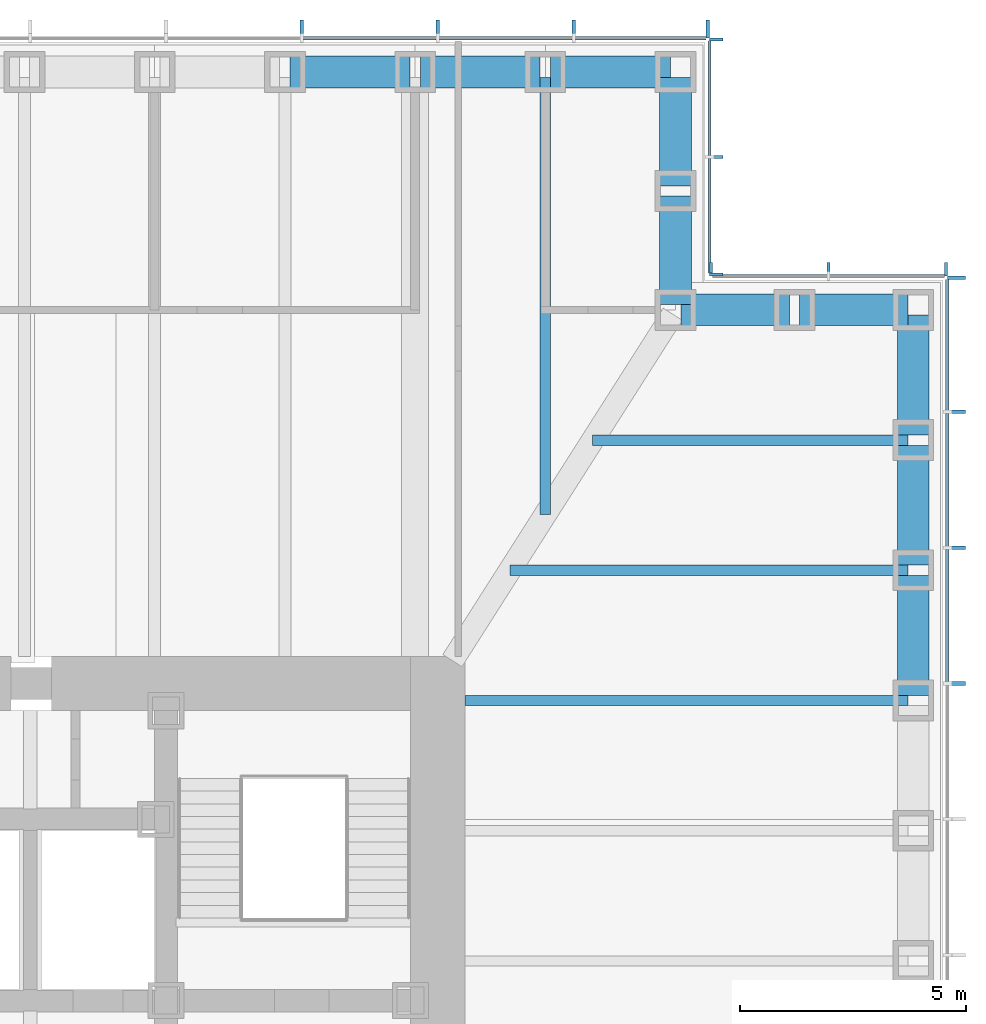
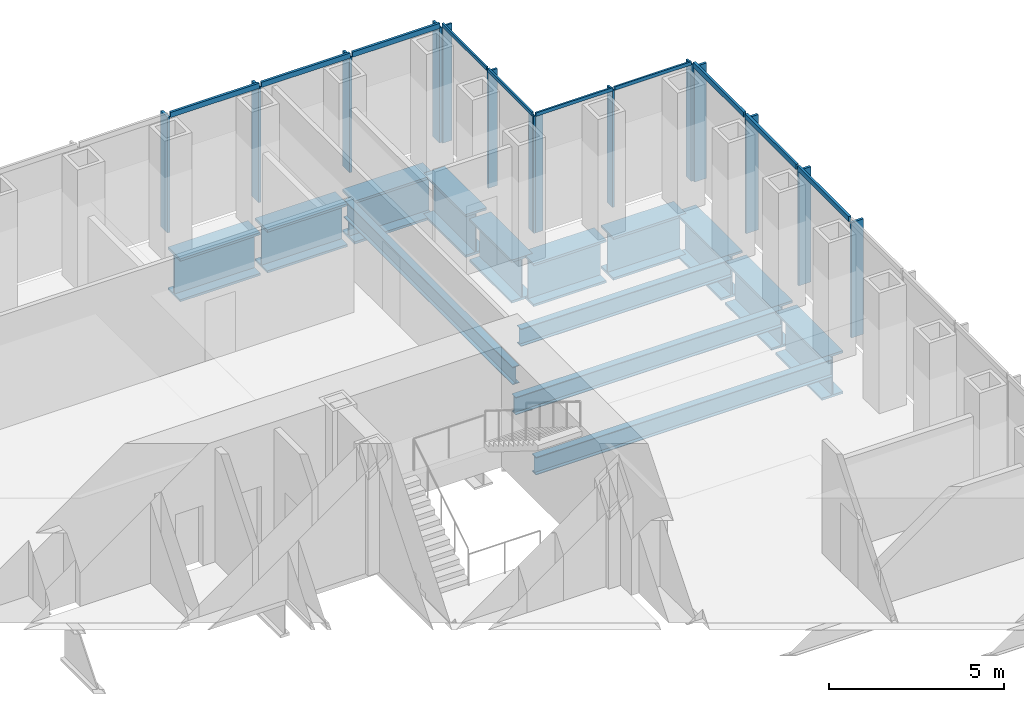
# One storey, part 6 of 17: 24 members, 14 beams, 4 elements without a shape of their own.
"""IFC4 building model written with IfcOpenShell, lengths in metres."""

from ifc_helpers import new_model, si_unit, direction, frame, origin, origin_2d, place, context, subcontext, project, spatial, rectangle, i_section, extrude, material, material_profile, profile_set, type_object, element, aggregate, save


model = new_model("IFC4")

# Units and contexts
model_context = context("Model", 3, precision=1e-05, world=origin(), true_north=direction((0.0, 1.0)))
body_context = subcontext(model_context, "Body", "Model", "MODEL_VIEW")
ifc_project = project(units=[si_unit("LENGTHUNIT", "METRE"), si_unit("AREAUNIT", "SQUARE_METRE"), si_unit("VOLUMEUNIT", "CUBIC_METRE"), si_unit("PLANEANGLEUNIT", "RADIAN"), si_unit("MASSUNIT", "GRAM", prefix="KILO")], contexts=[model_context])

# Site, building, storey
site_placement = place(None, origin())
site = spatial("IfcSite", under=ifc_project, at=site_placement, CompositionType="ELEMENT")
building_placement = place(site_placement, origin())
building = spatial("IfcBuilding", under=site, at=building_placement, Name="Daluyong Arena Tower", CompositionType="ELEMENT")
storey_placement = place(building_placement, frame((0.0, 0.0, 171.10009765625)))
storey = spatial("IfcBuildingStorey", under=building, at=storey_placement, Name="L38", CompositionType="ELEMENT", Elevation=171.10009765625)

# Curtain wall, members
ifc_material_1 = material(Name="Bronze anodised aluminium and glass", Category="aluminium")
curtain_wall_type_1 = type_object("IfcCurtainWallType", Name="Curtain wall CW2", PredefinedType="USERDEFINED", material=ifc_material_1)
curtain_wall_1_placement = place(storey_placement, origin())
curtain_wall_1 = element("IfcCurtainWall", 1, at=curtain_wall_1_placement, inside=storey, type_object=curtain_wall_type_1, Name="curtain wall L38 E", ObjectType="UNITISED CURTAIN WALL", PredefinedType="USERDEFINED")
ifc_material_2 = material(Name="Bronze anodised aluminium fin", Category="aluminium")
ifc_material_profile_1 = material_profile(ifc_material_2, rectangle(XDim=0.39990234375, YDim=0.080078125, at=origin_2d()))
ifc_profile_set_1 = profile_set([ifc_material_profile_1], Name="Bronze anodised aluminium fin")
member_type_1 = type_object("IfcMemberType", Name="CW2 bronze fin 400x80", PredefinedType="MULLION", material=ifc_profile_set_1)
member_1_placement = place(storey_placement, frame((79.449951171875, 89.0, 0.0), z_axis=(0.0, 0.0, 1.0), x_axis=(-1.0, 0.0, 0.0)))
member_1 = element("IfcMember", 2, at=member_1_placement, type_object=member_type_1, Name="curtain wall L38 E fin 10", PredefinedType="MULLION", context=body_context, shape_type="SweptSolid", body=[
    extrude(rectangle(XDim=0.39990234375, YDim=0.080078125, at=origin_2d()), origin(), (0.0, 0.0, 1.0), 4.02001953125),
])
member_2_placement = place(storey_placement, frame((79.449951171875, 92.0, 0.0), z_axis=(0.0, 0.0, 1.0), x_axis=(-1.0, 0.0, 0.0)))
member_2 = element("IfcMember", 3, at=member_2_placement, type_object=member_type_1, Name="curtain wall L38 E fin 11", PredefinedType="MULLION", context=body_context, shape_type="SweptSolid", body=[
    extrude(rectangle(XDim=0.39990234375, YDim=0.080078125, at=origin_2d()), origin(), (0.0, 0.0, 1.0), 4.02001953125),
])
member_3_placement = place(storey_placement, frame((79.449951171875, 95.0, 0.0), z_axis=(0.0, 0.0, 1.0), x_axis=(-1.0, 0.0, 0.0)))
member_3 = element("IfcMember", 4, at=member_3_placement, type_object=member_type_1, Name="curtain wall L38 E fin 12", PredefinedType="MULLION", context=body_context, shape_type="SweptSolid", body=[
    extrude(rectangle(XDim=0.39990234375, YDim=0.080078125, at=origin_2d()), origin(), (0.0, 0.0, 1.0), 4.02001953125),
])
member_4_placement = place(storey_placement, frame((79.449951171875, 97.9599609375, 0.0), z_axis=(0.0, 0.0, 1.0), x_axis=(-1.0, 0.0, 0.0)))
member_4 = element("IfcMember", 5, at=member_4_placement, type_object=member_type_1, Name="curtain wall L38 E fin 13", PredefinedType="MULLION", context=body_context, shape_type="SweptSolid", body=[
    extrude(rectangle(XDim=0.39990234375, YDim=0.080078125, at=origin_2d()), origin(), (0.0, 0.0, 1.0), 4.02001953125),
])

curtain_wall_2_placement = place(storey_placement, origin())
curtain_wall_2 = element("IfcCurtainWall", 6, at=curtain_wall_2_placement, inside=storey, type_object=curtain_wall_type_1, Name="curtain wall L38 N", ObjectType="UNITISED CURTAIN WALL", PredefinedType="USERDEFINED")
member_5_placement = place(storey_placement, frame((73.9599609375, 103.449951171875, 0.0), z_axis=(0.0, 0.0, 1.0), x_axis=(0.0, -1.0, 0.0)))
member_5 = element("IfcMember", 7, at=member_5_placement, type_object=member_type_1, Name="curtain wall L38 N fin 1", PredefinedType="MULLION", context=body_context, shape_type="SweptSolid", body=[
    extrude(rectangle(XDim=0.39990234375, YDim=0.080078125, at=origin_2d()), origin(), (0.0, 0.0, 1.0), 4.02001953125),
])
member_6_placement = place(storey_placement, frame((71.0, 103.449951171875, 0.0), z_axis=(0.0, 0.0, 1.0), x_axis=(0.0, -1.0, 0.0)))
member_6 = element("IfcMember", 8, at=member_6_placement, type_object=member_type_1, Name="curtain wall L38 N fin 2", PredefinedType="MULLION", context=body_context, shape_type="SweptSolid", body=[
    extrude(rectangle(XDim=0.39990234375, YDim=0.080078125, at=origin_2d()), origin(), (0.0, 0.0, 1.0), 4.02001953125),
])
member_7_placement = place(storey_placement, frame((68.0, 103.449951171875, 0.0), z_axis=(0.0, 0.0, 1.0), x_axis=(0.0, -1.0, 0.0)))
member_7 = element("IfcMember", 9, at=member_7_placement, type_object=member_type_1, Name="curtain wall L38 N fin 3", PredefinedType="MULLION", context=body_context, shape_type="SweptSolid", body=[
    extrude(rectangle(XDim=0.39990234375, YDim=0.080078125, at=origin_2d()), origin(), (0.0, 0.0, 1.0), 4.02001953125),
])
member_8_placement = place(storey_placement, frame((65.0, 103.449951171875, 0.0), z_axis=(0.0, 0.0, 1.0), x_axis=(0.0, -1.0, 0.0)))
member_8 = element("IfcMember", 10, at=member_8_placement, type_object=member_type_1, Name="curtain wall L38 N fin 4", PredefinedType="MULLION", context=body_context, shape_type="SweptSolid", body=[
    extrude(rectangle(XDim=0.39990234375, YDim=0.080078125, at=origin_2d()), origin(), (0.0, 0.0, 1.0), 4.02001953125),
])

# Member
ifc_material_3 = material(Name="Bronze anodised aluminium", Category="aluminium")
ifc_material_profile_2 = material_profile(ifc_material_3, rectangle(XDim=0.080078125, YDim=0.179931640625, at=origin_2d()))
ifc_profile_set_2 = profile_set([ifc_material_profile_2], Name="Bronze anodised aluminium")
member_type_2 = type_object("IfcMemberType", Name="CW2 stack transom 180x80", PredefinedType="USERDEFINED", material=ifc_profile_set_2)
member_9_placement = place(storey_placement, frame((79.25, 89.0400390625, 4.10986328125), z_axis=(0.0, 1.0, 0.0), x_axis=(-1.0, 0.0, 0.0)))
member_9 = element("IfcMember", 11, at=member_9_placement, type_object=member_type_2, Name="curtain wall L38 E transom 10", ObjectType="TRANSOM", PredefinedType="USERDEFINED", context=body_context, shape_type="SweptSolid", body=[
    extrude(rectangle(XDim=0.080078125, YDim=0.179931640625, at=origin_2d()), origin(), (0.0, 0.0, 1.0), 2.919921875),
])

member_10_placement = place(storey_placement, frame((79.25, 92.0400390625, 4.10986328125), z_axis=(0.0, 1.0, 0.0), x_axis=(-1.0, 0.0, 0.0)))
member_10 = element("IfcMember", 12, at=member_10_placement, type_object=member_type_2, Name="curtain wall L38 E transom 11", ObjectType="TRANSOM", PredefinedType="USERDEFINED", context=body_context, shape_type="SweptSolid", body=[
    extrude(rectangle(XDim=0.080078125, YDim=0.179931640625, at=origin_2d()), origin(), (0.0, 0.0, 1.0), 2.919921875),
])

member_11_placement = place(storey_placement, frame((79.25, 95.0400390625, 4.10986328125), z_axis=(0.0, 1.0, 0.0), x_axis=(-1.0, 0.0, 0.0)))
member_11 = element("IfcMember", 13, at=member_11_placement, type_object=member_type_2, Name="curtain wall L38 E transom 12", ObjectType="TRANSOM", PredefinedType="USERDEFINED", context=body_context, shape_type="SweptSolid", body=[
    extrude(rectangle(XDim=0.080078125, YDim=0.179931640625, at=origin_2d()), origin(), (0.0, 0.0, 1.0), 2.8798828125),
])

aggregate(curtain_wall_1, [member_1, member_2, member_3, member_4, member_9, member_10, member_11])

member_12_placement = place(storey_placement, frame((73.919921875, 103.25, 4.10986328125), z_axis=(-1.0, 0.0, 0.0), x_axis=(0.0, -1.0, 0.0)))
member_12 = element("IfcMember", 14, at=member_12_placement, type_object=member_type_2, Name="curtain wall L38 N transom 1", ObjectType="TRANSOM", PredefinedType="USERDEFINED", context=body_context, shape_type="SweptSolid", body=[
    extrude(rectangle(XDim=0.080078125, YDim=0.179931640625, at=origin_2d()), origin(), (0.0, 0.0, 1.0), 2.8798828125),
])

member_13_placement = place(storey_placement, frame((70.9599609375, 103.25, 4.10986328125), z_axis=(-1.0, 0.0, 0.0), x_axis=(0.0, -1.0, 0.0)))
member_13 = element("IfcMember", 15, at=member_13_placement, type_object=member_type_2, Name="curtain wall L38 N transom 2", ObjectType="TRANSOM", PredefinedType="USERDEFINED", context=body_context, shape_type="SweptSolid", body=[
    extrude(rectangle(XDim=0.080078125, YDim=0.179931640625, at=origin_2d()), origin(), (0.0, 0.0, 1.0), 2.919921875),
])

member_14_placement = place(storey_placement, frame((67.9599609375, 103.25, 4.10986328125), z_axis=(-1.0, 0.0, 0.0), x_axis=(0.0, -1.0, 0.0)))
member_14 = element("IfcMember", 16, at=member_14_placement, type_object=member_type_2, Name="curtain wall L38 N transom 3", ObjectType="TRANSOM", PredefinedType="USERDEFINED", context=body_context, shape_type="SweptSolid", body=[
    extrude(rectangle(XDim=0.080078125, YDim=0.179931640625, at=origin_2d()), origin(), (0.0, 0.0, 1.0), 2.919921875),
])

aggregate(curtain_wall_2, [member_5, member_6, member_7, member_8, member_12, member_13, member_14])

# Curtain wall, members
ifc_material_4 = material(Name="Bronze anodised aluminium and glass", Category="aluminium")
curtain_wall_type_2 = type_object("IfcCurtainWallType", Name="Curtain wall CW7", PredefinedType="USERDEFINED", material=ifc_material_4)
curtain_wall_3_placement = place(storey_placement, origin())
curtain_wall_3 = element("IfcCurtainWall", 17, at=curtain_wall_3_placement, inside=storey, type_object=curtain_wall_type_2, Name="curtain wall L38 NE-N", ObjectType="UNITISED CURTAIN WALL", PredefinedType="USERDEFINED")
ifc_material_5 = material(Name="Bronze anodised aluminium fin", Category="aluminium")
ifc_material_profile_3 = material_profile(ifc_material_5, rectangle(XDim=0.300048828125, YDim=0.06005859375, at=origin_2d()))
ifc_profile_set_3 = profile_set([ifc_material_profile_3], Name="Bronze anodised aluminium fin")
member_type_3 = type_object("IfcMemberType", Name="CW7 bronze fin 300x60", PredefinedType="MULLION", material=ifc_profile_set_3)
member_15_placement = place(storey_placement, frame((79.219970703125, 98.14990234375, 0.0), z_axis=(0.0, 0.0, 1.0), x_axis=(0.0, -1.0, 0.0)))
member_15 = element("IfcMember", 18, at=member_15_placement, type_object=member_type_3, Name="curtain wall L38 NE-N fin 1", PredefinedType="MULLION", context=body_context, shape_type="SweptSolid", body=[
    extrude(rectangle(XDim=0.300048828125, YDim=0.06005859375, at=origin_2d()), origin(), (0.0, 0.0, 1.0), 4.079833984375),
])
member_16_placement = place(storey_placement, frame((76.625, 98.14990234375, 0.0), z_axis=(0.0, 0.0, 1.0), x_axis=(0.0, -1.0, 0.0)))
member_16 = element("IfcMember", 19, at=member_16_placement, type_object=member_type_3, Name="curtain wall L38 NE-N fin 2", PredefinedType="MULLION", context=body_context, shape_type="SweptSolid", body=[
    extrude(rectangle(XDim=0.300048828125, YDim=0.06005859375, at=origin_2d()), origin(), (0.0, 0.0, 1.0), 4.079833984375),
])
member_17_placement = place(storey_placement, frame((74.030029296875, 98.14990234375, 0.0), z_axis=(0.0, 0.0, 1.0), x_axis=(0.0, -1.0, 0.0)))
member_17 = element("IfcMember", 20, at=member_17_placement, type_object=member_type_3, Name="curtain wall L38 NE-N fin 3", PredefinedType="MULLION", context=body_context, shape_type="SweptSolid", body=[
    extrude(rectangle(XDim=0.300048828125, YDim=0.06005859375, at=origin_2d()), origin(), (0.0, 0.0, 1.0), 4.079833984375),
])

curtain_wall_4_placement = place(storey_placement, origin())
curtain_wall_4 = element("IfcCurtainWall", 21, at=curtain_wall_4_placement, inside=storey, type_object=curtain_wall_type_2, Name="curtain wall L38 NE-E", ObjectType="UNITISED CURTAIN WALL", PredefinedType="USERDEFINED")
member_18_placement = place(storey_placement, frame((74.14990234375, 98.030029296875, 0.0), z_axis=(0.0, 0.0, 1.0), x_axis=(-1.0, 0.0, 0.0)))
member_18 = element("IfcMember", 22, at=member_18_placement, type_object=member_type_3, Name="curtain wall L38 NE-E fin 1", PredefinedType="MULLION", context=body_context, shape_type="SweptSolid", body=[
    extrude(rectangle(XDim=0.300048828125, YDim=0.06005859375, at=origin_2d()), origin(), (0.0, 0.0, 1.0), 4.079833984375),
])
member_19_placement = place(storey_placement, frame((74.14990234375, 100.625, 0.0), z_axis=(0.0, 0.0, 1.0), x_axis=(-1.0, 0.0, 0.0)))
member_19 = element("IfcMember", 23, at=member_19_placement, type_object=member_type_3, Name="curtain wall L38 NE-E fin 2", PredefinedType="MULLION", context=body_context, shape_type="SweptSolid", body=[
    extrude(rectangle(XDim=0.300048828125, YDim=0.06005859375, at=origin_2d()), origin(), (0.0, 0.0, 1.0), 4.079833984375),
])
member_20_placement = place(storey_placement, frame((74.14990234375, 103.219970703125, 0.0), z_axis=(0.0, 0.0, 1.0), x_axis=(-1.0, 0.0, 0.0)))
member_20 = element("IfcMember", 24, at=member_20_placement, type_object=member_type_3, Name="curtain wall L38 NE-E fin 3", PredefinedType="MULLION", context=body_context, shape_type="SweptSolid", body=[
    extrude(rectangle(XDim=0.300048828125, YDim=0.06005859375, at=origin_2d()), origin(), (0.0, 0.0, 1.0), 4.079833984375),
])

# Member
ifc_material_6 = material(Name="Bronze anodised aluminium", Category="aluminium")
ifc_material_profile_4 = material_profile(ifc_material_6, rectangle(XDim=0.06005859375, YDim=0.1201171875, at=origin_2d()))
ifc_profile_set_4 = profile_set([ifc_material_profile_4], Name="Bronze anodised aluminium")
member_type_4 = type_object("IfcMemberType", Name="CW7 stack transom 120x60", PredefinedType="USERDEFINED", material=ifc_profile_set_4)
member_21_placement = place(storey_placement, frame((79.18994140625, 98.0, 4.139892578125), z_axis=(-1.0, 0.0, 0.0), x_axis=(0.0, -1.0, 0.0)))
member_21 = element("IfcMember", 25, at=member_21_placement, type_object=member_type_4, Name="curtain wall L38 NE-N transom 1", ObjectType="TRANSOM", PredefinedType="USERDEFINED", context=body_context, shape_type="SweptSolid", body=[
    extrude(rectangle(XDim=0.06005859375, YDim=0.1201171875, at=origin_2d()), origin(), (0.0, 0.0, 1.0), 2.534912109375),
])

member_22_placement = place(storey_placement, frame((76.594970703125, 98.0, 4.139892578125), z_axis=(-1.0, 0.0, 0.0), x_axis=(0.0, -1.0, 0.0)))
member_22 = element("IfcMember", 26, at=member_22_placement, type_object=member_type_4, Name="curtain wall L38 NE-N transom 2", ObjectType="TRANSOM", PredefinedType="USERDEFINED", context=body_context, shape_type="SweptSolid", body=[
    extrude(rectangle(XDim=0.06005859375, YDim=0.1201171875, at=origin_2d()), origin(), (0.0, 0.0, 1.0), 2.534912109375),
])

aggregate(curtain_wall_3, [member_15, member_16, member_17, member_21, member_22])

member_23_placement = place(storey_placement, frame((74.0, 98.06005859375, 4.139892578125), z_axis=(0.0, 1.0, 0.0), x_axis=(-1.0, 0.0, 0.0)))
member_23 = element("IfcMember", 27, at=member_23_placement, type_object=member_type_4, Name="curtain wall L38 NE-E transom 1", ObjectType="TRANSOM", PredefinedType="USERDEFINED", context=body_context, shape_type="SweptSolid", body=[
    extrude(rectangle(XDim=0.06005859375, YDim=0.1201171875, at=origin_2d()), origin(), (0.0, 0.0, 1.0), 2.534912109375),
])

member_24_placement = place(storey_placement, frame((74.0, 100.655029296875, 4.139892578125), z_axis=(0.0, 1.0, 0.0), x_axis=(-1.0, 0.0, 0.0)))
member_24 = element("IfcMember", 28, at=member_24_placement, type_object=member_type_4, Name="curtain wall L38 NE-E transom 2", ObjectType="TRANSOM", PredefinedType="USERDEFINED", context=body_context, shape_type="SweptSolid", body=[
    extrude(rectangle(XDim=0.06005859375, YDim=0.1201171875, at=origin_2d()), origin(), (0.0, 0.0, 1.0), 2.534912109375),
])

aggregate(curtain_wall_4, [member_18, member_19, member_20, member_23, member_24])

# Beams
ifc_material_7 = material(Name="Steel ASTM A992 Grade 50", Category="steel")
ifc_material_profile_5 = material_profile(ifc_material_7, i_section(OverallWidth=0.22900390625, OverallDepth=0.612060546875, WebThickness=0.011962890625, FlangeThickness=0.01953125, at=origin_2d()))
ifc_profile_set_5 = profile_set([ifc_material_profile_5], Name="Steel ASTM A992 Grade 50")
beam_type_1 = type_object("IfcBeamType", Name="Floor beam W24X84", PredefinedType="BEAM", material=ifc_profile_set_5)
beam_1_placement = place(storey_placement, frame((78.385009765625, 88.625, -0.466064453125), z_axis=(-1.0, 0.0, 0.0), x_axis=(0.0, -1.0, 0.0)))
element("IfcBeam", 29, at=beam_1_placement, inside=storey, type_object=beam_type_1, Name="floor beam FB3", PredefinedType="BEAM", context=body_context, shape_type="SweptSolid", body=[
    extrude(i_section(OverallWidth=0.22900390625, OverallDepth=0.612060546875, WebThickness=0.011962890625, FlangeThickness=0.01953125, at=origin_2d()), origin(), (0.0, 0.0, 1.0), 9.784912109375),
])
beam_2_placement = place(storey_placement, frame((78.385009765625, 91.5, -0.466064453125), z_axis=(-1.0, 0.0, 0.0), x_axis=(0.0, -1.0, 0.0)))
element("IfcBeam", 30, at=beam_2_placement, inside=storey, type_object=beam_type_1, Name="floor beam FB3", PredefinedType="BEAM", context=body_context, shape_type="SweptSolid", body=[
    extrude(i_section(OverallWidth=0.22900390625, OverallDepth=0.612060546875, WebThickness=0.011962890625, FlangeThickness=0.01953125, at=origin_2d()), origin(), (0.0, 0.0, 1.0), 8.794189453125),
])
beam_3_placement = place(storey_placement, frame((78.385009765625, 94.375, -0.466064453125), z_axis=(-1.0, 0.0, 0.0), x_axis=(0.0, -1.0, 0.0)))
element("IfcBeam", 31, at=beam_3_placement, inside=storey, type_object=beam_type_1, Name="floor beam FB3", PredefinedType="BEAM", context=body_context, shape_type="SweptSolid", body=[
    extrude(i_section(OverallWidth=0.22900390625, OverallDepth=0.612060546875, WebThickness=0.011962890625, FlangeThickness=0.01953125, at=origin_2d()), origin(), (0.0, 0.0, 1.0), 6.964599609375),
])
beam_4_placement = place(storey_placement, frame((70.375, 102.385009765625, -0.466064453125), z_axis=(0.0, -1.0, 0.0), x_axis=(1.0, 0.0, 0.0)))
element("IfcBeam", 32, at=beam_4_placement, inside=storey, type_object=beam_type_1, Name="floor beam FB3", PredefinedType="BEAM", context=body_context, shape_type="SweptSolid", body=[
    extrude(i_section(OverallWidth=0.22900390625, OverallDepth=0.612060546875, WebThickness=0.011962890625, FlangeThickness=0.01953125, at=origin_2d()), origin(), (0.0, 0.0, 1.0), 9.65283203125),
])
ifc_material_8 = material(Name="Steel ASTM A572 Grade 50", Category="steel")
ifc_material_profile_6 = material_profile(ifc_material_8, i_section(OverallWidth=0.699951171875, OverallDepth=1.5, WebThickness=0.04, FlangeThickness=0.08, at=origin_2d()))
ifc_profile_set_6 = profile_set([ifc_material_profile_6], Name="Steel ASTM A572 Grade 50")
beam_type_2 = type_object("IfcBeamType", Name="Spandrel Z2 PG1500X700", PredefinedType="SPANDREL", material=ifc_profile_set_6)
for number, where, z_axis, x_axis, name in (
    (33, (78.5, 88.739990234375, -0.91015625), (0.0, 1.0, 0.0), (-1.0, 0.0, 0.0), "spandrel z2 SB6"),
    (34, (78.5, 91.614990234375, -0.91015625), (0.0, 1.0, 0.0), (-1.0, 0.0, 0.0), "spandrel z2 SB6"),
    (35, (78.5, 94.489990234375, -0.91015625), (0.0, 1.0, 0.0), (-1.0, 0.0, 0.0), "spandrel z2 SB6"),
):
    element("IfcBeam", number, at=place(storey_placement, frame(where, z_axis=z_axis, x_axis=x_axis)), inside=storey, type_object=beam_type_2, Name=name, PredefinedType="SPANDREL", context=body_context, shape_type="SweptSolid", body=[
        extrude(i_section(OverallWidth=0.699951171875, OverallDepth=1.5, WebThickness=0.04, FlangeThickness=0.08, at=origin_2d()), origin(), (0.0, 0.0, 1.0), 2.64501953125),
    ])
for number, where, z_axis, x_axis, name in (
    (36, (78.385009765625, 97.25, -0.91015625), (-1.0, 0.0, 0.0), (0.0, -1.0, 0.0), "spandrel z2 SB6"),
    (37, (75.760009765625, 97.25, -0.91015625), (-1.0, 0.0, 0.0), (0.0, -1.0, 0.0), "spandrel z2 SB6"),
    (38, (73.25, 97.364990234375, -0.91015625), (0.0, 1.0, 0.0), (-1.0, 0.0, 0.0), "spandrel z2 SB6"),
    (39, (73.25, 99.989990234375, -0.91015625), (0.0, 1.0, 0.0), (-1.0, 0.0, 0.0), "spandrel z2 SB6"),
):
    element("IfcBeam", number, at=place(storey_placement, frame(where, z_axis=z_axis, x_axis=x_axis)), inside=storey, type_object=beam_type_2, Name=name, PredefinedType="SPANDREL", context=body_context, shape_type="SweptSolid", body=[
        extrude(i_section(OverallWidth=0.699951171875, OverallDepth=1.5, WebThickness=0.04, FlangeThickness=0.08, at=origin_2d()), origin(), (0.0, 0.0, 1.0), 2.39501953125),
    ])
for number, where, z_axis, x_axis, name in (
    (40, (73.135009765625, 102.5, -0.91015625), (-1.0, 0.0, 0.0), (0.0, -1.0, 0.0), "spandrel z2 SB6"),
    (41, (70.260009765625, 102.5, -0.91015625), (-1.0, 0.0, 0.0), (0.0, -1.0, 0.0), "spandrel z2 SB6"),
    (42, (67.385009765625, 102.5, -0.91015625), (-1.0, 0.0, 0.0), (0.0, -1.0, 0.0), "spandrel z2 SB6"),
):
    element("IfcBeam", number, at=place(storey_placement, frame(where, z_axis=z_axis, x_axis=x_axis)), inside=storey, type_object=beam_type_2, Name=name, PredefinedType="SPANDREL", context=body_context, shape_type="SweptSolid", body=[
        extrude(i_section(OverallWidth=0.699951171875, OverallDepth=1.5, WebThickness=0.04, FlangeThickness=0.08, at=origin_2d()), origin(), (0.0, 0.0, 1.0), 2.64501953125),
    ])

save(model, "model.ifc")
